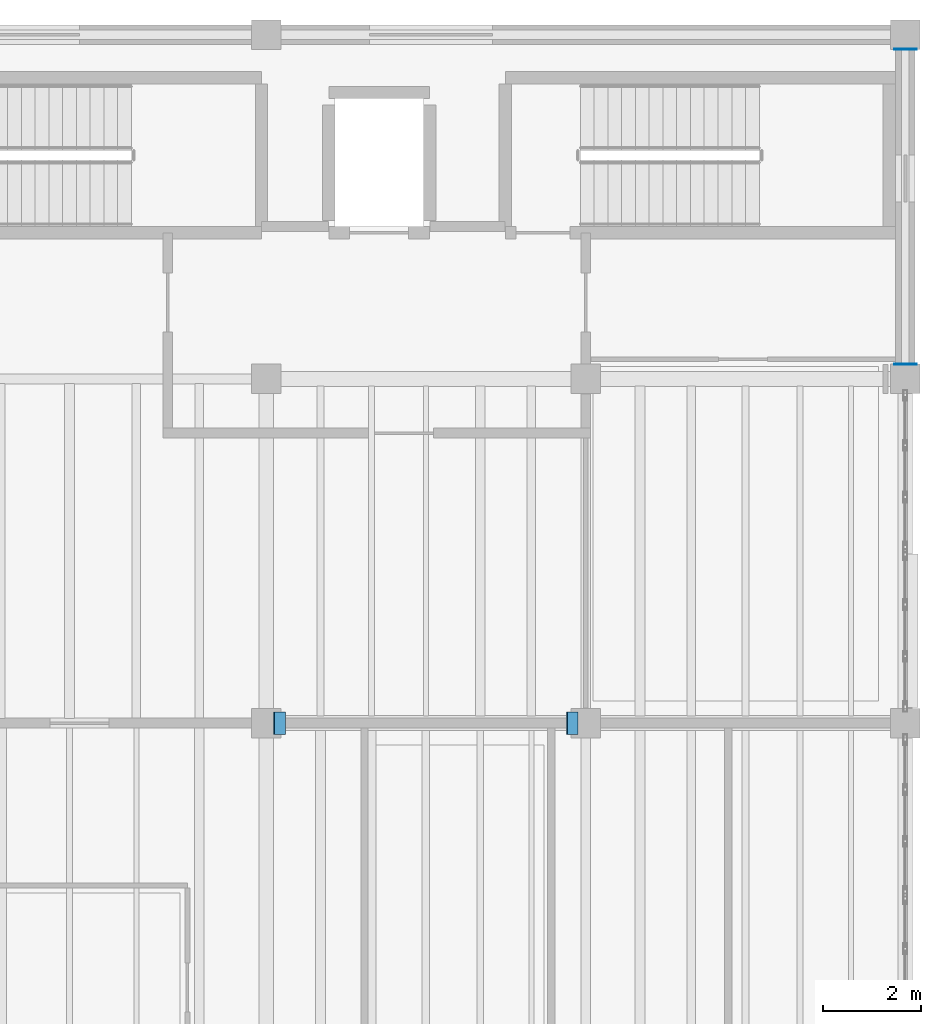
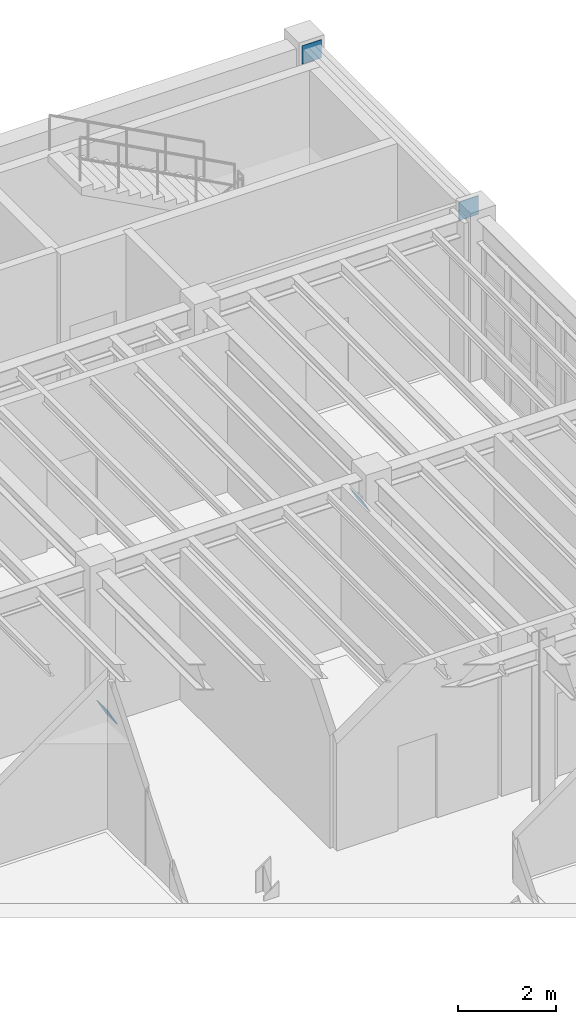
# One storey, part 69 of 77: 4 plates.
"""IFC4 building model written with IfcOpenShell, lengths in metres."""

from ifc_helpers import new_model, si_unit, direction, frame, origin, origin_2d, place, context, subcontext, project, spatial, rectangle, extrude, material, material_profile, profile_set, type_object, element, save


model = new_model("IFC4")

# Units and contexts
model_context = context("Model", 3, precision=1e-05, world=origin(), true_north=direction((0.0, 1.0)))
body_context = subcontext(model_context, "Body", "Model", "MODEL_VIEW")
ifc_project = project(units=[si_unit("LENGTHUNIT", "METRE"), si_unit("AREAUNIT", "SQUARE_METRE"), si_unit("VOLUMEUNIT", "CUBIC_METRE"), si_unit("PLANEANGLEUNIT", "RADIAN"), si_unit("MASSUNIT", "GRAM", prefix="KILO"), si_unit("THERMODYNAMICTEMPERATUREUNIT", "KELVIN"), si_unit("POWERUNIT", "WATT")], contexts=[model_context])

# Site, building, storey
site_placement = place(None, origin())
site = spatial("IfcSite", under=ifc_project, at=site_placement, CompositionType="ELEMENT")
building_placement = place(site_placement, origin())
building = spatial("IfcBuilding", under=site, at=building_placement, Name="Zhenchuan Central Fire Station", CompositionType="ELEMENT")
storey_placement = place(building_placement, frame((0.0, 0.0, 10.050048828125)))
storey = spatial("IfcBuildingStorey", under=building, at=storey_placement, Name="L03", CompositionType="ELEMENT", Elevation=10.050048828125)

# Plates
ifc_material = material(Name="Steel Q355B", Category="steel")
ifc_material_profile_1 = material_profile(ifc_material, rectangle(XDim=0.4599609375, YDim=0.4599609375, at=origin_2d()), Name="PL 460x460x28")
ifc_profile_set_1 = profile_set([ifc_material_profile_1], Name="Steel Q355B")
plate_type_1 = type_object("IfcPlateType", Name="PL-GUS28", PredefinedType="SHEET", material=ifc_profile_set_1)
for number, where, z_axis, x_axis, name in (
    (1, (161.0, 49.783935546875, 3.875), (0.0, 1.0, 0.0), (-1.0, 0.0, 0.0), "L04 Girder NS 0430 end cap plate A"),
    (2, (161.0, 56.196044921875, 3.875), (0.0, 1.0, 0.0), (-1.0, 0.0, 0.0), "L04 Girder NS 0430 end cap plate B"),
):
    element("IfcPlate", number, at=place(storey_placement, frame(where, z_axis=z_axis, x_axis=x_axis)), inside=storey, type_object=plate_type_1, Name=name, PredefinedType="SHEET", context=body_context, shape_type="SweptSolid", body=[
        extrude(rectangle(XDim=0.4599609375, YDim=0.4599609375, at=origin_2d()), origin(), (0.0, 0.0, 1.0), 0.02001953125),
    ])
ifc_material_profile_2 = material_profile(ifc_material, rectangle(XDim=0.4599609375, YDim=0.4599609375, at=origin_2d()), Name="PL 460x460x28")
ifc_profile_set_2 = profile_set([ifc_material_profile_2], Name="Steel Q355B")
plate_type_2 = type_object("IfcPlateType", Name="PL-GUS28-INT", PredefinedType="SHEET", material=ifc_profile_set_2)
for number, where, z_axis, x_axis, name in (
    (3, (148.263916015625, 42.5, 0.1923828125), (0.879291966537, 0.0, 0.476283148541), (0.0, 1.0, 0.0), "Interior Frame Lateral Brace 08 end cap plate A"),
    (4, (154.218505859375, 42.5, 3.39794921875), (0.879291966537, 0.0, 0.476283148541), (0.0, 1.0, 0.0), "Interior Frame Lateral Brace 08 end cap plate B"),
):
    element("IfcPlate", number, at=place(storey_placement, frame(where, z_axis=z_axis, x_axis=x_axis)), inside=storey, type_object=plate_type_2, Name=name, PredefinedType="SHEET", context=body_context, shape_type="SweptSolid", body=[
        extrude(rectangle(XDim=0.4599609375, YDim=0.4599609375, at=origin_2d()), origin(), (0.0, 0.0, 1.0), 0.02001953125),
    ])

save(model, "model.ifc")
